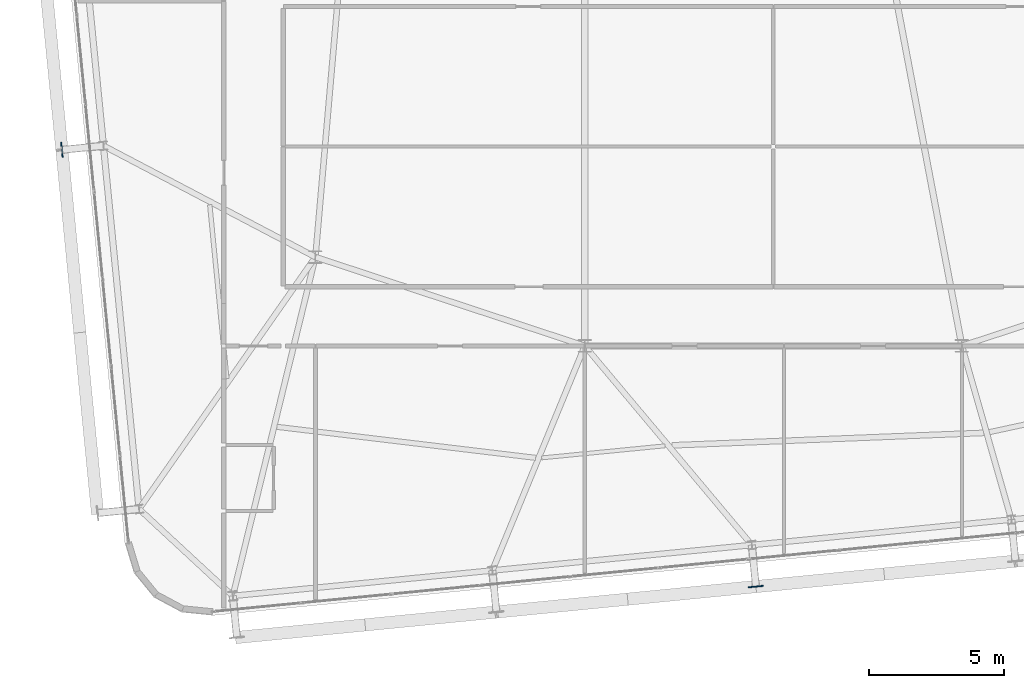
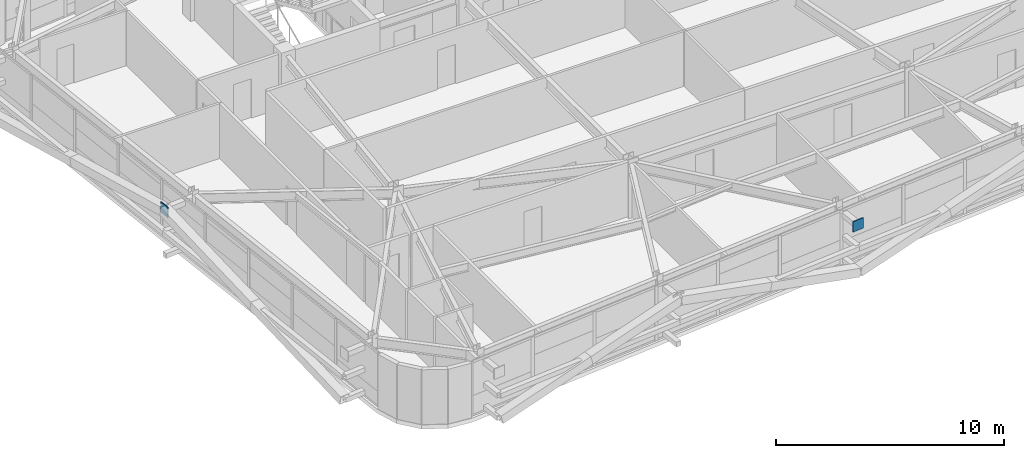
# One storey, part 39 of 52: 2 plates.
"""IFC4 building model written with IfcOpenShell, lengths in metres."""

from ifc_helpers import new_model, si_unit, direction, frame, origin, origin_2d, place, context, subcontext, project, spatial, rectangle, extrude, source, transform, mapped, material, layer, layer_set, type_object, element, save


model = new_model("IFC4")

# Units and contexts
model_context = context("Model", 3, precision=1e-05, world=origin(), true_north=direction((0.0, 1.0)))
body_context = subcontext(model_context, "Body", "Model", "MODEL_VIEW")
ifc_project = project(units=[si_unit("LENGTHUNIT", "METRE"), si_unit("AREAUNIT", "SQUARE_METRE"), si_unit("VOLUMEUNIT", "CUBIC_METRE"), si_unit("PLANEANGLEUNIT", "RADIAN"), si_unit("MASSUNIT", "GRAM", prefix="KILO")], contexts=[model_context])

# Site, building, storey
site_placement = place(None, origin())
site = spatial("IfcSite", under=ifc_project, at=site_placement, CompositionType="ELEMENT")
building_placement = place(site_placement, origin())
building = spatial("IfcBuilding", under=site, at=building_placement, Name="Taldren Reach Tower", CompositionType="ELEMENT")
storey_placement = place(building_placement, frame((0.0, 0.0, 74.550048828125)))
storey = spatial("IfcBuildingStorey", under=building, at=storey_placement, Name="L22", CompositionType="ELEMENT", Elevation=74.550048828125)

# Plates
ifc_material = material(Name="Steel Gr 450 (C450L0)", Category="steel")
ifc_layer = layer(ifc_material, 0.0400390625)
ifc_layer_set = layer_set([ifc_layer], Name="Steel Gr 450 (C450L0)")
plate_type = type_object("IfcPlateType", Name="PL-GUSSET-40", PredefinedType="SHEET", material=ifc_layer_set)
shared_shape = source(origin(), body_context, "Body", "SweptSolid", [
    extrude(rectangle(XDim=0.56005859375, YDim=0.0400390625, at=origin_2d()), origin(), (0.0, 0.0, 1.0), 0.56005859375),
])
for number, where, z_axis, x_axis, name in (
    (1, (34.35302734375, 0.2666015625, 2.369873046875), (0.0, 0.0, 1.0), (0.995227399982, 0.097582899759, 0.0), "Exoskeleton star-node gusset plate B2-S3 L22"),
    (2, (8.587890625, 16.479736328125, 2.369873046875), (0.0, 0.0, 1.0), (-0.097582899759, 0.995227399982, 0.0), "Exoskeleton star-node gusset plate B2-W2 L22"),
):
    element("IfcPlate", number, at=place(storey_placement, frame(where, z_axis=z_axis, x_axis=x_axis)), inside=storey, type_object=plate_type, Name=name, PredefinedType="SHEET", context=body_context, shape_type="MappedRepresentation", body=[
        mapped(shared_shape, transform((0.0, 0.0, 0.0), scale=1.0)),
    ])

save(model, "model.ifc")
